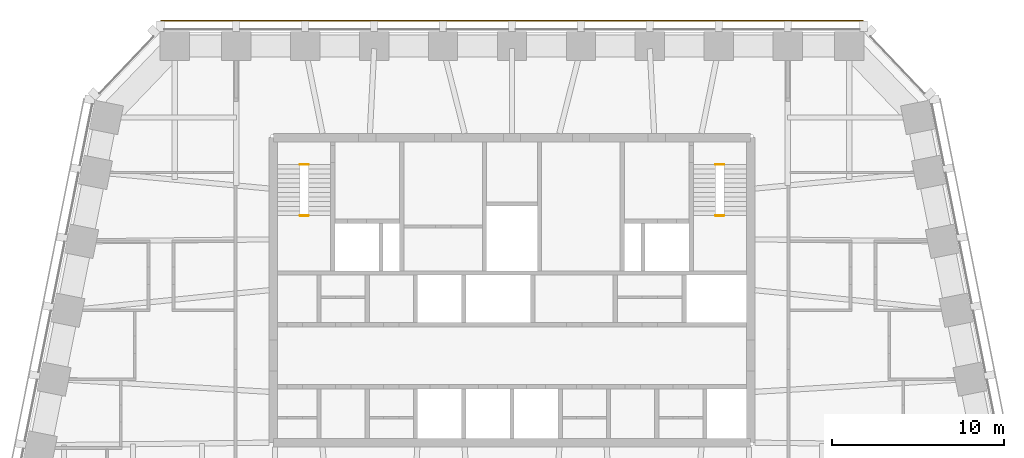
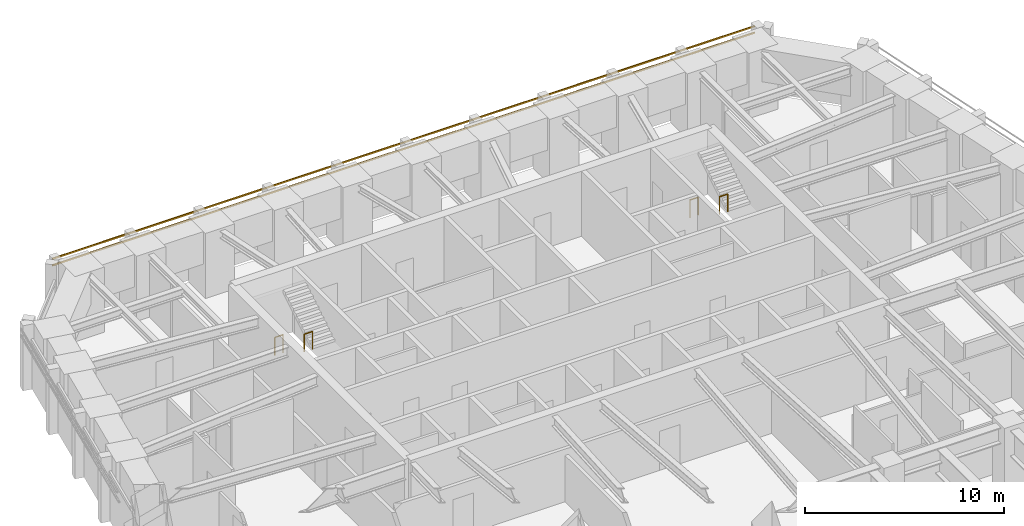
# One storey, part 12 of 12: 4 railings, 2 shading devices.
"""IFC4 building model written with IfcOpenShell, lengths in metres."""

from ifc_helpers import new_model, si_unit, direction, frame, origin, origin_2d, place, context, subcontext, project, spatial, rectangle, circle, extrude, material, material_profile, profile_set, type_object, element, save


model = new_model("IFC4")

# Units and contexts
model_context = context("Model", 3, precision=1e-05, world=origin(), true_north=direction((0.0, 1.0)))
body_context = subcontext(model_context, "Body", "Model", "MODEL_VIEW")
ifc_project = project(units=[si_unit("LENGTHUNIT", "METRE"), si_unit("AREAUNIT", "SQUARE_METRE"), si_unit("VOLUMEUNIT", "CUBIC_METRE"), si_unit("PLANEANGLEUNIT", "RADIAN"), si_unit("MASSUNIT", "GRAM", prefix="KILO")], contexts=[model_context])

# Site, building, storey
site_placement = place(None, origin())
site = spatial("IfcSite", under=ifc_project, at=site_placement, CompositionType="ELEMENT")
building_placement = place(site_placement, origin())
building = spatial("IfcBuilding", under=site, at=building_placement, Name="Isbrekke Arena Tower", CompositionType="ELEMENT")
storey_placement = place(building_placement, frame((0.0, 0.0, 256.0)))
storey = spatial("IfcBuildingStorey", under=building, at=storey_placement, Name="L59", CompositionType="ELEMENT", Elevation=256.0)

# Shading devices
ifc_material_1 = material(Name="Terracotta", Category="masonry")
ifc_material_profile = material_profile(ifc_material_1, rectangle(XDim=0.06005859375, YDim=0.06005859375, at=origin_2d()), Name="BAGUETTE 60X60")
ifc_profile_set = profile_set([ifc_material_profile], Name="Terracotta")
shading_device_type = type_object("IfcShadingDeviceType", Name="BG1 TERRACOTTA BAGUETTE 60 x 60", PredefinedType="USERDEFINED", material=ifc_profile_set)
for number, where, z_axis, x_axis, name in (
    (1, (20.39990234375, 30.655029296875, 3.280029296875), (-1.0, 0.0, 0.0), (0.0, -1.0, 0.0), "BG1 terracotta baguette N1 L59"),
    (2, (20.39990234375, 30.655029296875, 3.679931640625), (-1.0, 0.0, 0.0), (0.0, -1.0, 0.0), "BG1 terracotta baguette N2 L59"),
):
    element("IfcShadingDevice", number, at=place(storey_placement, frame(where, z_axis=z_axis, x_axis=x_axis)), inside=storey, type_object=shading_device_type, Name=name, ObjectType="TERRACOTTA BAGUETTE", PredefinedType="USERDEFINED", context=body_context, shape_type="SweptSolid", body=[
        extrude(rectangle(XDim=0.06005859375, YDim=0.06005859375, at=origin_2d()), origin(), (0.0, 0.0, 1.0), 40.7998046875),
    ])

# Railings
ifc_material_2 = material(Name="Steel stair guard, vertical bars, steel handrail", Category="steel")
railing_type = type_object("IfcRailingType", Name="GR3 STAIR WELL GUARD 1100", PredefinedType="GUARDRAIL", material=ifc_material_2)
for number, where, name in (
    (3, (-12.300048828125, 22.300048828125, 0.0), "GR3 stair well guard ST1 L59"),
    (4, (-12.300048828125, 19.330078125, 2.0), "GR3 stair well guard ST1 L59"),
    (5, (11.824951171875, 22.300048828125, 0.0), "GR3 stair well guard ST2 L59"),
    (6, (11.824951171875, 19.330078125, 2.0), "GR3 stair well guard ST2 L59"),
):
    element("IfcRailing", number, at=place(storey_placement, frame(where)), inside=storey, type_object=railing_type, Name=name, PredefinedType="GUARDRAIL", context=body_context, shape_type="SweptSolid", body=[
        extrude(circle(Radius=0.02392578125, at=origin_2d()), frame((0.0, 0.0, 1.076171875), z_axis=(1.0, 0.0, 0.0), x_axis=(0.0, 1.0, 0.0)), (0.0, 0.0, 1.0), 0.47509765625),
        extrude(circle(Radius=0.02099609375, at=origin_2d()), origin(), (0.0, 0.0, 1.0), 1.052001953125),
        extrude(circle(Radius=0.02099609375, at=origin_2d()), frame((0.47509765625, 0.0, 0.0)), (0.0, 0.0, 1.0), 1.052001953125),
    ])

save(model, "model.ifc")
